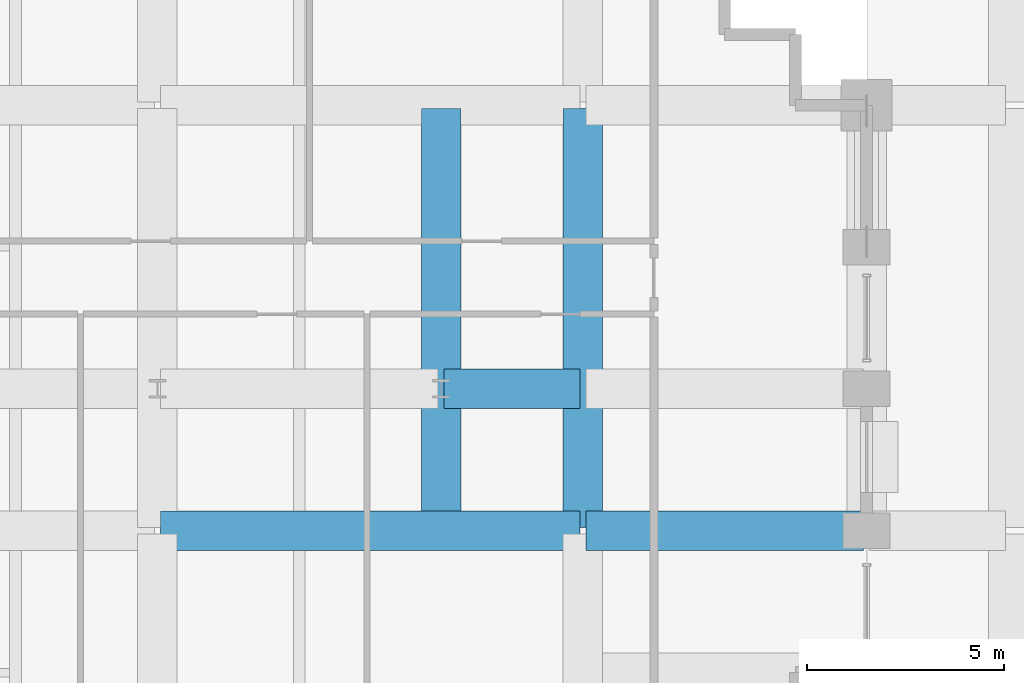
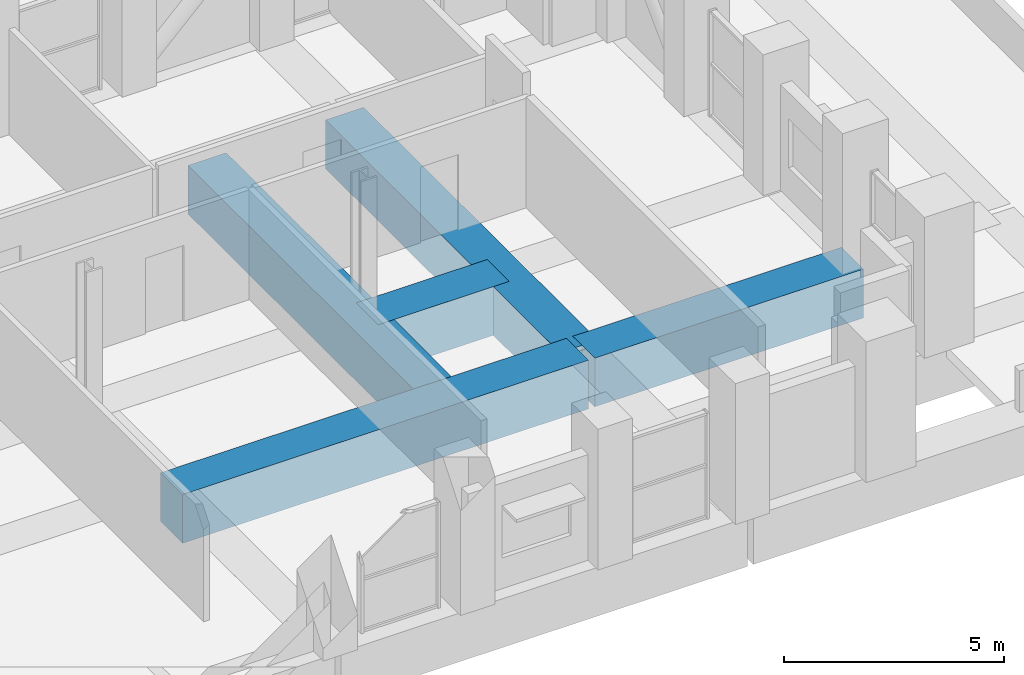
# One storey, part 14 of 39: 5 beams.
"""IFC4 building model written with IfcOpenShell, lengths in metres."""

from ifc_helpers import new_model, si_unit, direction, frame, origin, origin_2d, place, context, subcontext, project, spatial, rectangle, extrude, material, material_profile, profile_set, type_object, element, save


model = new_model("IFC4")

# Units and contexts
model_context = context("Model", 3, precision=1e-05, world=origin(), true_north=direction((0.0, 1.0)))
body_context = subcontext(model_context, "Body", "Model", "MODEL_VIEW")
ifc_project = project(units=[si_unit("LENGTHUNIT", "METRE"), si_unit("AREAUNIT", "SQUARE_METRE"), si_unit("VOLUMEUNIT", "CUBIC_METRE"), si_unit("PLANEANGLEUNIT", "RADIAN"), si_unit("MASSUNIT", "GRAM", prefix="KILO")], contexts=[model_context])

# Site, building, storey
site_placement = place(None, origin())
site = spatial("IfcSite", under=ifc_project, at=site_placement, CompositionType="ELEMENT")
building_placement = place(site_placement, origin())
building = spatial("IfcBuilding", under=site, at=building_placement, Name="Solnavia Interchange Tower", CompositionType="ELEMENT")
storey_placement = place(building_placement, frame((0.0, 0.0, 24.0)))
storey = spatial("IfcBuildingStorey", under=building, at=storey_placement, Name="L05", CompositionType="ELEMENT", Elevation=24.0)

# Beams
ifc_material = material(Name="Concrete C60/75", Category="concrete")
ifc_material_profile = material_profile(ifc_material, rectangle(XDim=1.0, YDim=1.35009765625, at=origin_2d()), Name="RC 1000x1350")
ifc_profile_set = profile_set([ifc_material_profile], Name="Concrete C60/75")
beam_type = type_object("IfcBeamType", Name="Beam-Transfer-RC1000x1350", PredefinedType="BEAM", material=ifc_profile_set)
beam_1_placement = place(storey_placement, frame((43.280029296875, 10.800048828125, -0.675048828125), z_axis=(1.0, 0.0, 0.0), x_axis=(0.0, 1.0, 0.0)))
element("IfcBeam", 1, at=beam_1_placement, inside=storey, type_object=beam_type, Name="TRB-L05-10 East-south primary transfer girder", PredefinedType="BEAM", context=body_context, shape_type="SweptSolid", body=[
    extrude(rectangle(XDim=1.0, YDim=1.35009765625, at=origin_2d()), origin(), (0.0, 0.0, 1.0), 10.639892578125),
])
beam_2_placement = place(storey_placement, frame((54.080078125, 10.800048828125, -0.675048828125), z_axis=(1.0, 0.0, 0.0), x_axis=(0.0, 1.0, 0.0)))
element("IfcBeam", 2, at=beam_2_placement, inside=storey, type_object=beam_type, Name="TRB-L05-11 East-south primary transfer girder", PredefinedType="BEAM", context=body_context, shape_type="SweptSolid", body=[
    extrude(rectangle(XDim=1.0, YDim=1.35009765625, at=origin_2d()), origin(), (0.0, 0.0, 1.0), 7.0400390625),
])
for number, where, z_axis, x_axis, name in (
    (3, (54.0, 10.8798828125, -0.675048828125), (0.0, 1.0, 0.0), (-1.0, 0.0, 0.0), "TRB-L05-50 East N-S primary transfer girder"),
    (4, (50.39990234375, 10.8798828125, -0.675048828125), (0.0, 1.0, 0.0), (-1.0, 0.0, 0.0), "TRB-L05-65 East interior cross transfer girder"),
):
    element("IfcBeam", number, at=place(storey_placement, frame(where, z_axis=z_axis, x_axis=x_axis)), inside=storey, type_object=beam_type, Name=name, PredefinedType="BEAM", context=body_context, shape_type="SweptSolid", body=[
        extrude(rectangle(XDim=1.0, YDim=1.35009765625, at=origin_2d()), origin(), (0.0, 0.0, 1.0), 10.64013671875),
    ])
beam_3_placement = place(storey_placement, frame((50.47998046875, 14.39990234375, -0.675048828125), z_axis=(1.0, 0.0, 0.0), x_axis=(0.0, 1.0, 0.0)))
element("IfcBeam", 5, at=beam_3_placement, inside=storey, type_object=beam_type, Name="TRB-L05-71 East spine transfer girder", PredefinedType="BEAM", context=body_context, shape_type="SweptSolid", body=[
    extrude(rectangle(XDim=1.0, YDim=1.35009765625, at=origin_2d()), origin(), (0.0, 0.0, 1.0), 3.43994140625),
])

save(model, "model.ifc")
